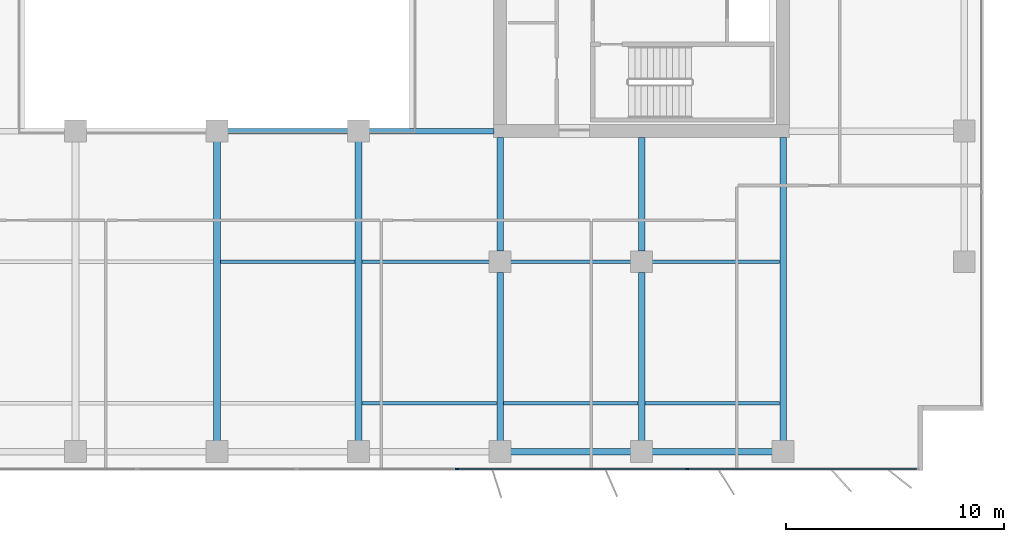
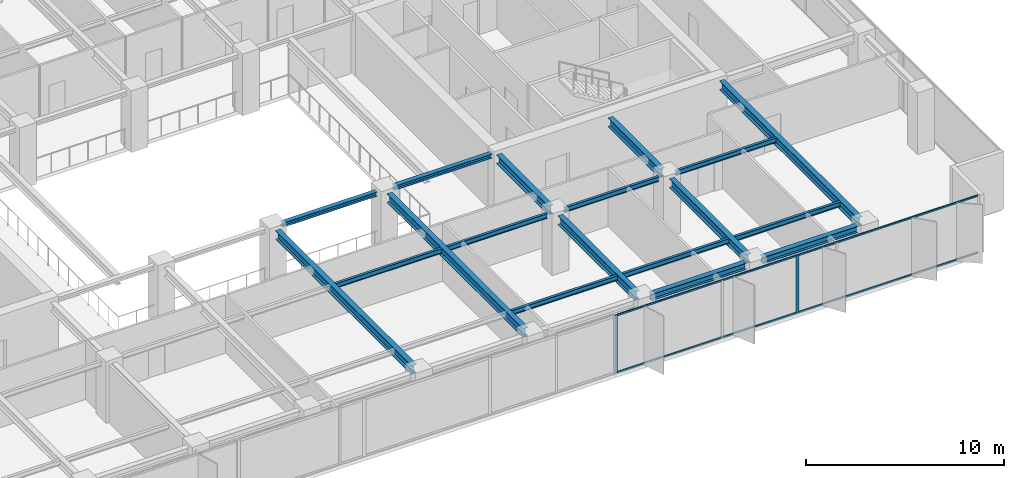
# One storey, part 6 of 22: 18 beams, 6 members, 1 element without a shape of its own.
"""IFC4 building model written with IfcOpenShell, lengths in metres."""

from ifc_helpers import new_model, si_unit, direction, frame, origin, origin_2d, place, context, subcontext, project, spatial, rectangle, i_section, extrude, material, layer, layer_set, material_profile, profile_set, type_object, element, aggregate, save


model = new_model("IFC4")

# Units and contexts
model_context = context("Model", 3, precision=1e-05, world=origin(), true_north=direction((0.0, 1.0)))
body_context = subcontext(model_context, "Body", "Model", "MODEL_VIEW")
ifc_project = project(units=[si_unit("LENGTHUNIT", "METRE"), si_unit("AREAUNIT", "SQUARE_METRE"), si_unit("VOLUMEUNIT", "CUBIC_METRE"), si_unit("PLANEANGLEUNIT", "RADIAN"), si_unit("MASSUNIT", "GRAM", prefix="KILO")], contexts=[model_context])

# Site, building, storey
site_placement = place(None, origin())
site = spatial("IfcSite", under=ifc_project, at=site_placement, CompositionType="ELEMENT")
building_placement = place(site_placement, origin())
building = spatial("IfcBuilding", under=site, at=building_placement, Name="Putna Gate Headquarters", CompositionType="ELEMENT")
storey_placement = place(building_placement, frame((0.0, 0.0, 189.800048828125)))
storey = spatial("IfcBuildingStorey", under=building, at=storey_placement, Name="L47", CompositionType="ELEMENT", Elevation=189.800048828125)

# Beams
ifc_material_1 = material(Name="Steel S355J2", Category="steel")
ifc_material_profile_1 = material_profile(ifc_material_1, i_section(OverallWidth=0.260009765625, OverallDepth=0.260009765625, WebThickness=0.010009765625, FlangeThickness=0.017578125, at=origin_2d()), Name="Steel S355J2")
ifc_profile_set_1 = profile_set([ifc_material_profile_1], Name="Steel S355J2")
beam_type_1 = type_object("IfcBeamType", Name="BM-ATRIUM-HEB260", PredefinedType="BEAM", material=ifc_profile_set_1)
beam_1_placement = place(storey_placement, frame((39.488037109375, 19.0, 3.44189453125), z_axis=(1.0, 0.0, 0.0), x_axis=(0.0, 1.0, 0.0)))
element("IfcBeam", 1, at=beam_1_placement, inside=storey, type_object=beam_type_1, Name="L47 Atrium Edge Beam AS3", PredefinedType="BEAM", context=body_context, shape_type="SweptSolid", body=[
    extrude(i_section(OverallWidth=0.260009765625, OverallDepth=0.260009765625, WebThickness=0.010009765625, FlangeThickness=0.017578125, at=origin_2d()), origin(), (0.0, 0.0, 1.0), 5.52392578125),
])
beam_2_placement = place(storey_placement, frame((45.988037109375, 19.0, 3.44189453125), z_axis=(1.0, 0.0, 0.0), x_axis=(0.0, 1.0, 0.0)))
element("IfcBeam", 2, at=beam_2_placement, inside=storey, type_object=beam_type_1, Name="L47 Atrium Edge Beam AS4", PredefinedType="BEAM", context=body_context, shape_type="SweptSolid", body=[
    extrude(i_section(OverallWidth=0.260009765625, OverallDepth=0.260009765625, WebThickness=0.010009765625, FlangeThickness=0.017578125, at=origin_2d()), origin(), (0.0, 0.0, 1.0), 5.72705078125),
])
ifc_material_profile_2 = material_profile(ifc_material_1, i_section(OverallWidth=0.300048828125, OverallDepth=0.550048828125, WebThickness=0.014892578125, FlangeThickness=0.029052734375, at=origin_2d()), Name="Steel S355J2")
ifc_profile_set_2 = profile_set([ifc_material_profile_2], Name="Steel S355J2")
beam_type_2 = type_object("IfcBeamType", Name="BM-GIRD-Z3-HEB550", PredefinedType="USERDEFINED", material=ifc_profile_set_2)
for number, where, z_axis, x_axis, name in (
    (3, (39.0, 4.76806640625, 3.296875), (0.0, 1.0, 0.0), (-1.0, 0.0, 0.0), "L47 South Primary Girder X39"),
    (4, (45.5, 4.76806640625, 3.296875), (0.0, 1.0, 0.0), (-1.0, 0.0, 0.0), "L47 South Primary Girder X45"),
):
    element("IfcBeam", number, at=place(storey_placement, frame(where, z_axis=z_axis, x_axis=x_axis)), inside=storey, type_object=beam_type_2, Name=name, ObjectType="GIRDER", PredefinedType="USERDEFINED", context=body_context, shape_type="SweptSolid", body=[
        extrude(i_section(OverallWidth=0.300048828125, OverallDepth=0.550048828125, WebThickness=0.014892578125, FlangeThickness=0.029052734375, at=origin_2d()), origin(), (0.0, 0.0, 1.0), 13.743896484375),
    ])
beam_3_placement = place(storey_placement, frame((52.0, 4.76806640625, 3.296875), z_axis=(0.0, 1.0, 0.0), x_axis=(-1.0, 0.0, 0.0)))
element("IfcBeam", 5, at=beam_3_placement, inside=storey, type_object=beam_type_2, Name="L47 South Primary Girder X52-1", ObjectType="GIRDER", PredefinedType="USERDEFINED", context=body_context, shape_type="SweptSolid", body=[
    extrude(i_section(OverallWidth=0.300048828125, OverallDepth=0.550048828125, WebThickness=0.014892578125, FlangeThickness=0.029052734375, at=origin_2d()), origin(), (0.0, 0.0, 1.0), 7.743896484375),
])
beam_4_placement = place(storey_placement, frame((52.0, 13.488037109375, 3.296875), z_axis=(0.0, 1.0, 0.0), x_axis=(-1.0, 0.0, 0.0)))
element("IfcBeam", 6, at=beam_4_placement, inside=storey, type_object=beam_type_2, Name="L47 South Primary Girder X52-2", ObjectType="GIRDER", PredefinedType="USERDEFINED", context=body_context, shape_type="SweptSolid", body=[
    extrude(i_section(OverallWidth=0.300048828125, OverallDepth=0.550048828125, WebThickness=0.014892578125, FlangeThickness=0.029052734375, at=origin_2d()), origin(), (0.0, 0.0, 1.0), 5.22705078125),
])
beam_5_placement = place(storey_placement, frame((58.5, 4.76806640625, 3.296875), z_axis=(0.0, 1.0, 0.0), x_axis=(-1.0, 0.0, 0.0)))
element("IfcBeam", 7, at=beam_5_placement, inside=storey, type_object=beam_type_2, Name="L47 South Primary Girder X58-1", ObjectType="GIRDER", PredefinedType="USERDEFINED", context=body_context, shape_type="SweptSolid", body=[
    extrude(i_section(OverallWidth=0.300048828125, OverallDepth=0.550048828125, WebThickness=0.014892578125, FlangeThickness=0.029052734375, at=origin_2d()), origin(), (0.0, 0.0, 1.0), 7.743896484375),
])
beam_6_placement = place(storey_placement, frame((58.5, 13.488037109375, 3.296875), z_axis=(0.0, 1.0, 0.0), x_axis=(-1.0, 0.0, 0.0)))
element("IfcBeam", 8, at=beam_6_placement, inside=storey, type_object=beam_type_2, Name="L47 South Primary Girder X58-2", ObjectType="GIRDER", PredefinedType="USERDEFINED", context=body_context, shape_type="SweptSolid", body=[
    extrude(i_section(OverallWidth=0.300048828125, OverallDepth=0.550048828125, WebThickness=0.014892578125, FlangeThickness=0.029052734375, at=origin_2d()), origin(), (0.0, 0.0, 1.0), 5.22705078125),
])
beam_7_placement = place(storey_placement, frame((65.0, 4.76806640625, 3.296875), z_axis=(0.0, 1.0, 0.0), x_axis=(-1.0, 0.0, 0.0)))
element("IfcBeam", 9, at=beam_7_placement, inside=storey, type_object=beam_type_2, Name="L47 South Primary Girder X65", ObjectType="GIRDER", PredefinedType="USERDEFINED", context=body_context, shape_type="SweptSolid", body=[
    extrude(i_section(OverallWidth=0.300048828125, OverallDepth=0.550048828125, WebThickness=0.014892578125, FlangeThickness=0.029052734375, at=origin_2d()), origin(), (0.0, 0.0, 1.0), 13.947021484375),
])
ifc_material_profile_3 = material_profile(ifc_material_1, i_section(OverallWidth=0.14990234375, OverallDepth=0.300048828125, WebThickness=0.007080078125, FlangeThickness=0.0107421875, at=origin_2d()), Name="Steel S355J2")
ifc_profile_set_3 = profile_set([ifc_material_profile_3], Name="Steel S355J2")
beam_type_3 = type_object("IfcBeamType", Name="BM-SEC-Z3-IPE300", PredefinedType="JOIST", material=ifc_profile_set_3)
for number, where, z_axis, x_axis, name in (
    (10, (39.154052734375, 13.0, 3.421875), (1.0, 0.0, 0.0), (0.0, 1.0, 0.0), "L47 South Secondary Beam 5"),
    (11, (45.654052734375, 6.5, 3.421875), (1.0, 0.0, 0.0), (0.0, 1.0, 0.0), "L47 South Secondary Beam 6"),
):
    element("IfcBeam", number, at=place(storey_placement, frame(where, z_axis=z_axis, x_axis=x_axis)), inside=storey, type_object=beam_type_3, Name=name, PredefinedType="JOIST", context=body_context, shape_type="SweptSolid", body=[
        extrude(i_section(OverallWidth=0.14990234375, OverallDepth=0.300048828125, WebThickness=0.007080078125, FlangeThickness=0.0107421875, at=origin_2d()), origin(), (0.0, 0.0, 1.0), 6.19189453125),
    ])
beam_8_placement = place(storey_placement, frame((45.654052734375, 13.0, 3.421875), z_axis=(1.0, 0.0, 0.0), x_axis=(0.0, 1.0, 0.0)))
element("IfcBeam", 12, at=beam_8_placement, inside=storey, type_object=beam_type_3, Name="L47 South Secondary Beam 6", PredefinedType="JOIST", context=body_context, shape_type="SweptSolid", body=[
    extrude(i_section(OverallWidth=0.14990234375, OverallDepth=0.300048828125, WebThickness=0.007080078125, FlangeThickness=0.0107421875, at=origin_2d()), origin(), (0.0, 0.0, 1.0), 5.85791015625),
])
beam_9_placement = place(storey_placement, frame((52.154052734375, 6.5, 3.421875), z_axis=(1.0, 0.0, 0.0), x_axis=(0.0, 1.0, 0.0)))
element("IfcBeam", 13, at=beam_9_placement, inside=storey, type_object=beam_type_3, Name="L47 South Secondary Beam 7", PredefinedType="JOIST", context=body_context, shape_type="SweptSolid", body=[
    extrude(i_section(OverallWidth=0.14990234375, OverallDepth=0.300048828125, WebThickness=0.007080078125, FlangeThickness=0.0107421875, at=origin_2d()), origin(), (0.0, 0.0, 1.0), 6.19189453125),
])
beam_10_placement = place(storey_placement, frame((52.488037109375, 13.0, 3.421875), z_axis=(1.0, 0.0, 0.0), x_axis=(0.0, 1.0, 0.0)))
element("IfcBeam", 14, at=beam_10_placement, inside=storey, type_object=beam_type_3, Name="L47 South Secondary Beam 7", PredefinedType="JOIST", context=body_context, shape_type="SweptSolid", body=[
    extrude(i_section(OverallWidth=0.14990234375, OverallDepth=0.300048828125, WebThickness=0.007080078125, FlangeThickness=0.0107421875, at=origin_2d()), origin(), (0.0, 0.0, 1.0), 5.52392578125),
])
beam_11_placement = place(storey_placement, frame((58.654052734375, 6.5, 3.421875), z_axis=(1.0, 0.0, 0.0), x_axis=(0.0, 1.0, 0.0)))
element("IfcBeam", 15, at=beam_11_placement, inside=storey, type_object=beam_type_3, Name="L47 South Secondary Beam 8", PredefinedType="JOIST", context=body_context, shape_type="SweptSolid", body=[
    extrude(i_section(OverallWidth=0.14990234375, OverallDepth=0.300048828125, WebThickness=0.007080078125, FlangeThickness=0.0107421875, at=origin_2d()), origin(), (0.0, 0.0, 1.0), 6.19189453125),
])
beam_12_placement = place(storey_placement, frame((58.988037109375, 13.0, 3.421875), z_axis=(1.0, 0.0, 0.0), x_axis=(0.0, 1.0, 0.0)))
element("IfcBeam", 16, at=beam_12_placement, inside=storey, type_object=beam_type_3, Name="L47 South Secondary Beam 8", PredefinedType="JOIST", context=body_context, shape_type="SweptSolid", body=[
    extrude(i_section(OverallWidth=0.14990234375, OverallDepth=0.300048828125, WebThickness=0.007080078125, FlangeThickness=0.0107421875, at=origin_2d()), origin(), (0.0, 0.0, 1.0), 5.85791015625),
])
ifc_material_profile_4 = material_profile(ifc_material_1, i_section(OverallWidth=0.300048828125, OverallDepth=0.39990234375, WebThickness=0.013427734375, FlangeThickness=0.02392578125, at=origin_2d()), Name="Steel S355J2")
ifc_profile_set_4 = profile_set([ifc_material_profile_4], Name="Steel S355J2")
beam_type_4 = type_object("IfcBeamType", Name="BM-SPAN-Z3-HEB400", PredefinedType="SPANDREL", material=ifc_profile_set_4)
for number, where, z_axis, x_axis, name in (
    (17, (52.488037109375, 4.280029296875, 3.3720703125), (1.0, 0.0, 0.0), (0.0, 1.0, 0.0), "L47 S Perimeter Spandrel 7"),
    (18, (58.988037109375, 4.280029296875, 3.3720703125), (1.0, 0.0, 0.0), (0.0, 1.0, 0.0), "L47 S Perimeter Spandrel 8"),
):
    element("IfcBeam", number, at=place(storey_placement, frame(where, z_axis=z_axis, x_axis=x_axis)), inside=storey, type_object=beam_type_4, Name=name, PredefinedType="SPANDREL", context=body_context, shape_type="SweptSolid", body=[
        extrude(i_section(OverallWidth=0.300048828125, OverallDepth=0.39990234375, WebThickness=0.013427734375, FlangeThickness=0.02392578125, at=origin_2d()), origin(), (0.0, 0.0, 1.0), 5.52392578125),
    ])

# Curtain wall, members
ifc_material_2 = material(Name="Anodised bronze aluminium curtain wall", Category="aluminium")
ifc_layer = layer(ifc_material_2, 0.159912109375)
ifc_layer_set = layer_set([ifc_layer], Name="Anodised bronze aluminium curtain wall")
curtain_wall_type = type_object("IfcCurtainWallType", Name="CW-SYS-Z3", PredefinedType="USERDEFINED", material=ifc_layer_set)
curtain_wall_placement = place(storey_placement, origin())
curtain_wall = element("IfcCurtainWall", 19, at=curtain_wall_placement, inside=storey, type_object=curtain_wall_type, Name="L47 South East Curtain Wall", ObjectType="STICK CURTAIN WALL", PredefinedType="USERDEFINED")
ifc_material_3 = material(Name="Anodised bronze aluminium EN AW-6060", Category="aluminium")
ifc_material_profile_5 = material_profile(ifc_material_3, rectangle(XDim=0.06494140625, YDim=0.159912109375, at=origin_2d()), Name="Anodised bronze aluminium EN AW-6060")
ifc_profile_set_5 = profile_set([ifc_material_profile_5], Name="Anodised bronze aluminium EN AW-6060")
member_type_1 = type_object("IfcMemberType", Name="MULL-CWM-3", PredefinedType="MULLION", material=ifc_profile_set_5)
member_1_placement = place(storey_placement, frame((50.032470703125, 3.47998046875, 0.0), z_axis=(0.0, 0.0, 1.0), x_axis=(0.0, 1.0, 0.0)))
member_1 = element("IfcMember", 20, at=member_1_placement, type_object=member_type_1, Name="CWS-3 mullion 1", PredefinedType="MULLION", context=body_context, shape_type="SweptSolid", body=[
    extrude(rectangle(XDim=0.06494140625, YDim=0.159912109375, at=origin_2d()), origin(), (0.0, 0.0, 1.0), 3.572021484375),
])
member_2_placement = place(storey_placement, frame((60.60009765625, 3.47998046875, 0.0), z_axis=(0.0, 0.0, 1.0), x_axis=(0.0, 1.0, 0.0)))
member_2 = element("IfcMember", 21, at=member_2_placement, type_object=member_type_1, Name="CWS-3 mullion 2", PredefinedType="MULLION", context=body_context, shape_type="SweptSolid", body=[
    extrude(rectangle(XDim=0.06494140625, YDim=0.159912109375, at=origin_2d()), origin(), (0.0, 0.0, 1.0), 3.572021484375),
])
ifc_material_profile_6 = material_profile(ifc_material_3, rectangle(XDim=0.06005859375, YDim=0.10009765625, at=origin_2d()), Name="Anodised bronze aluminium EN AW-6060")
ifc_profile_set_6 = profile_set([ifc_material_profile_6], Name="Anodised bronze aluminium EN AW-6060")
member_type_2 = type_object("IfcMemberType", Name="TRAN-CWT-3", PredefinedType="USERDEFINED", material=ifc_profile_set_6)
member_3_placement = place(storey_placement, frame((50.06494140625, 3.47998046875, 0.030029296875), z_axis=(1.0, 0.0, 0.0), x_axis=(0.0, 1.0, 0.0)))
member_3 = element("IfcMember", 22, at=member_3_placement, type_object=member_type_2, Name="CWS-3 transom 1.1", ObjectType="TRANSOM", PredefinedType="USERDEFINED", context=body_context, shape_type="SweptSolid", body=[
    extrude(rectangle(XDim=0.06005859375, YDim=0.10009765625, at=origin_2d()), origin(), (0.0, 0.0, 1.0), 10.50244140625),
])
member_4_placement = place(storey_placement, frame((50.06494140625, 3.47998046875, 3.5419921875), z_axis=(1.0, 0.0, 0.0), x_axis=(0.0, 1.0, 0.0)))
member_4 = element("IfcMember", 23, at=member_4_placement, type_object=member_type_2, Name="CWS-3 transom 1.2", ObjectType="TRANSOM", PredefinedType="USERDEFINED", context=body_context, shape_type="SweptSolid", body=[
    extrude(rectangle(XDim=0.06005859375, YDim=0.10009765625, at=origin_2d()), origin(), (0.0, 0.0, 1.0), 10.50244140625),
])
member_5_placement = place(storey_placement, frame((60.632568359375, 3.47998046875, 0.030029296875), z_axis=(1.0, 0.0, 0.0), x_axis=(0.0, 1.0, 0.0)))
member_5 = element("IfcMember", 24, at=member_5_placement, type_object=member_type_2, Name="CWS-3 transom 2.1", ObjectType="TRANSOM", PredefinedType="USERDEFINED", context=body_context, shape_type="SweptSolid", body=[
    extrude(rectangle(XDim=0.06005859375, YDim=0.10009765625, at=origin_2d()), origin(), (0.0, 0.0, 1.0), 10.50244140625),
])
member_6_placement = place(storey_placement, frame((60.632568359375, 3.47998046875, 3.5419921875), z_axis=(1.0, 0.0, 0.0), x_axis=(0.0, 1.0, 0.0)))
member_6 = element("IfcMember", 25, at=member_6_placement, type_object=member_type_2, Name="CWS-3 transom 2.2", ObjectType="TRANSOM", PredefinedType="USERDEFINED", context=body_context, shape_type="SweptSolid", body=[
    extrude(rectangle(XDim=0.06005859375, YDim=0.10009765625, at=origin_2d()), origin(), (0.0, 0.0, 1.0), 10.50244140625),
])
aggregate(curtain_wall, [member_1, member_2, member_3, member_4, member_5, member_6])

save(model, "model.ifc")
